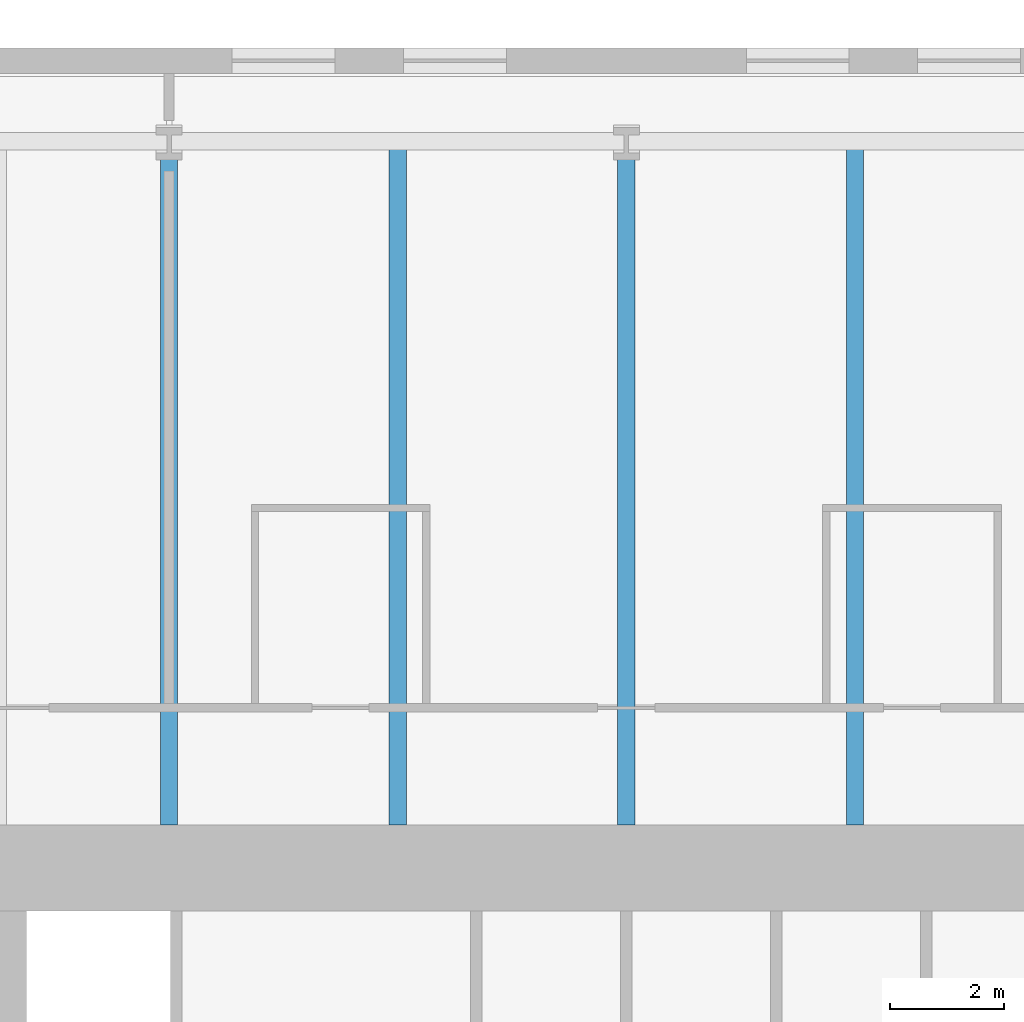
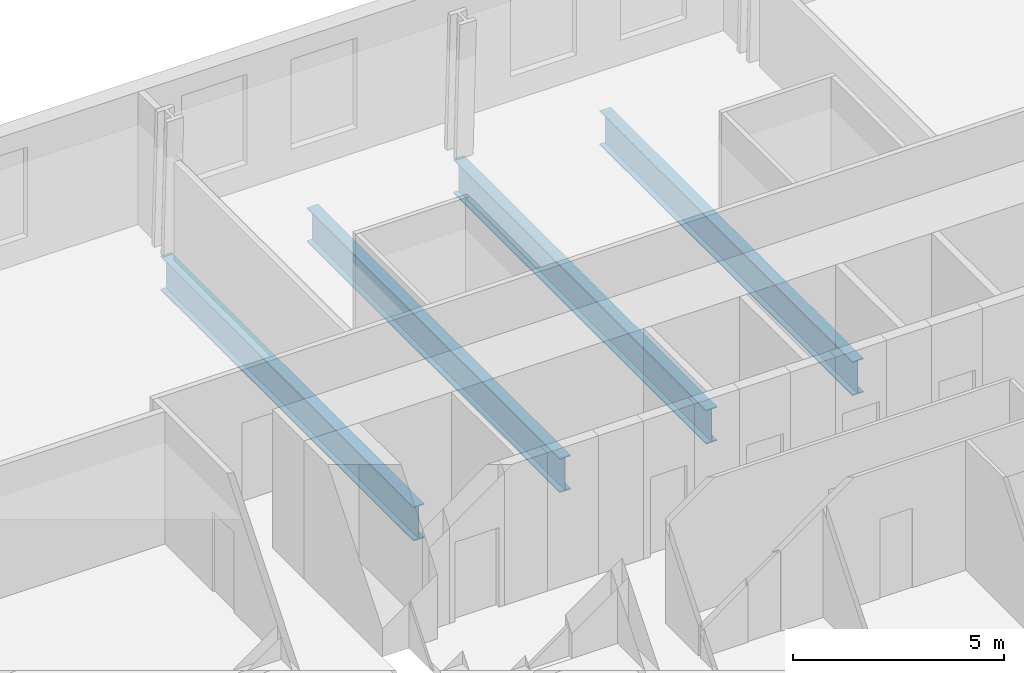
# One storey, part 7 of 18: 4 beams.
"""IFC4 building model written with IfcOpenShell, lengths in metres."""

from ifc_helpers import new_model, si_unit, direction, frame, origin, origin_2d, place, context, subcontext, project, spatial, i_section, extrude, material, material_profile, profile_set, type_object, element, save


model = new_model("IFC4")

# Units and contexts
model_context = context("Model", 3, precision=1e-05, world=origin(), true_north=direction((0.0, 1.0)))
body_context = subcontext(model_context, "Body", "Model", "MODEL_VIEW")
ifc_project = project(units=[si_unit("LENGTHUNIT", "METRE"), si_unit("AREAUNIT", "SQUARE_METRE"), si_unit("VOLUMEUNIT", "CUBIC_METRE"), si_unit("PLANEANGLEUNIT", "RADIAN"), si_unit("MASSUNIT", "GRAM", prefix="KILO")], contexts=[model_context])

# Site, building, storey
site_placement = place(None, origin())
site = spatial("IfcSite", under=ifc_project, at=site_placement, CompositionType="ELEMENT")
building_placement = place(site_placement, origin())
building = spatial("IfcBuilding", under=site, at=building_placement, Name="Peilmerk Tower", CompositionType="ELEMENT")
storey_placement = place(building_placement, frame((0.0, 0.0, 171.800048828125)))
storey = spatial("IfcBuildingStorey", under=building, at=storey_placement, Name="L36", CompositionType="ELEMENT", Elevation=171.800048828125)

# Beams
ifc_material = material(Name="Steel S355", Category="steel")
ifc_material_profile = material_profile(ifc_material, i_section(OverallWidth=0.300048828125, OverallDepth=0.989990234375, WebThickness=0.0166015625, FlangeThickness=0.031005859375, at=origin_2d()), Name="HEA 1000")
ifc_profile_set = profile_set([ifc_material_profile], Name="Steel S355")
beam_type = type_object("IfcBeamType", Name="B14 HEA 1000 floor girder", PredefinedType="BEAM", material=ifc_profile_set)
for number, where, z_axis, x_axis, name in (
    (1, (4.0, 12.0, -0.6650390625), (0.0, 1.0, 0.0), (-1.0, 0.0, 0.0), "Floor beam L36"),
    (2, (0.0, 12.0, -0.6650390625), (0.0, 1.0, 0.0), (-1.0, 0.0, 0.0), "Floor beam L36"),
    (3, (-4.0, 12.0, -0.6650390625), (0.0, 1.0, 0.0), (-1.0, 0.0, 0.0), "Floor beam L36"),
    (4, (-8.0, 12.0, -0.6650390625), (0.0, 1.0, 0.0), (-1.0, 0.0, 0.0), "Floor beam L36"),
):
    element("IfcBeam", number, at=place(storey_placement, frame(where, z_axis=z_axis, x_axis=x_axis)), inside=storey, type_object=beam_type, Name=name, PredefinedType="BEAM", context=body_context, shape_type="SweptSolid", body=[
        extrude(i_section(OverallWidth=0.300048828125, OverallDepth=0.989990234375, WebThickness=0.0166015625, FlangeThickness=0.031005859375, at=origin_2d()), origin(), (0.0, 0.0, 1.0), 11.96923828125),
    ])

save(model, "model.ifc")
